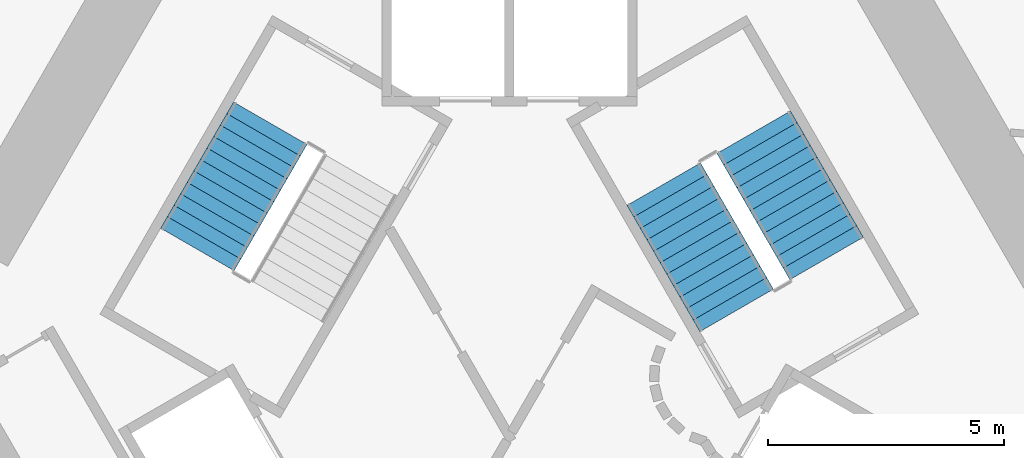
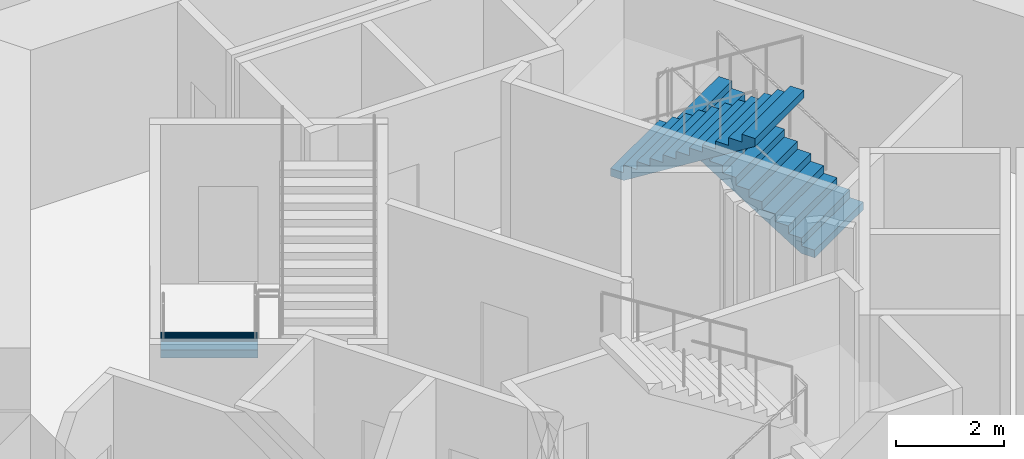
# One storey, part 10 of 13: 3 stair flights, 2 elements without a shape of their own.
"""IFC4 building model written with IfcOpenShell, lengths in metres."""

from ifc_helpers import new_model, si_unit, direction, frame, origin, place, context, subcontext, project, spatial, polyline, outline, extrude, material, type_object, element, aggregate, save


model = new_model("IFC4")

# Units and contexts
model_context = context("Model", 3, precision=1e-05, world=origin(), true_north=direction((0.0, 1.0)))
body_context = subcontext(model_context, "Body", "Model", "MODEL_VIEW")
ifc_project = project(units=[si_unit("LENGTHUNIT", "METRE"), si_unit("AREAUNIT", "SQUARE_METRE"), si_unit("VOLUMEUNIT", "CUBIC_METRE"), si_unit("PLANEANGLEUNIT", "RADIAN"), si_unit("MASSUNIT", "GRAM", prefix="KILO")], contexts=[model_context])

# Site, building, storey
site_placement = place(None, origin())
site = spatial("IfcSite", under=ifc_project, at=site_placement, CompositionType="ELEMENT")
building_placement = place(site_placement, origin())
building = spatial("IfcBuilding", under=site, at=building_placement, Name="Entoto Arch Interchange Tower", CompositionType="ELEMENT")
storey_placement = place(building_placement, frame((0.0, 0.0, 231.800048828125)))
storey = spatial("IfcBuildingStorey", under=building, at=storey_placement, Name="L52", CompositionType="ELEMENT", Elevation=231.800048828125)

# Stair, stair flights
ifc_material = material(Name="Concrete C40/50", Category="concrete")
stair_type = type_object("IfcStairType", Name="EXIT STAIR RC 1800", PredefinedType="HALF_TURN_STAIR", material=ifc_material)
stair_1_placement = place(storey_placement, origin())
stair_1 = element("IfcStair", 1, at=stair_1_placement, inside=storey, type_object=stair_type, Name="L52 Exit stair NE", PredefinedType="HALF_TURN_STAIR")
stair_flight_type = type_object("IfcStairFlightType", Name="EXIT STAIR FLIGHT RC 1800", PredefinedType="STRAIGHT", material=ifc_material)
stair_flight_1_placement = place(storey_placement, frame((6.7138671875, 4.470947265625, 0.0), z_axis=(0.0, 0.0, 1.0), x_axis=(-0.5, 0.866025403784, 0.0)))
stair_flight_1 = element("IfcStairFlight", 2, at=stair_flight_1_placement, type_object=stair_flight_type, Name="ST-NE flight 1", NumberOfRisers=12, NumberOfTreads=11, PredefinedType="STRAIGHT", RiserHeight=0.175, TreadLength=0.28, context=body_context, shape_type="SweptSolid", body=[
    extrude(outline(polyline([(-0.0029296875, 0.0), (-0.0029296875, 0.175048828125), (0.280029296875, 0.175048828125), (0.280029296875, 0.35009765625), (0.56005859375, 0.35009765625), (0.56005859375, 0.52490234375), (0.840087890625, 0.52490234375), (0.840087890625, 0.699951171875), (1.1201171875, 0.699951171875), (1.1201171875, 0.875), (1.39990234375, 0.875), (1.39990234375, 1.050048828125), (1.679931640625, 1.050048828125), (1.679931640625, 1.22509765625), (1.9599609375, 1.22509765625), (1.9599609375, 1.39990234375), (2.239990234375, 1.39990234375), (2.239990234375, 1.574951171875), (2.52001953125, 1.574951171875), (2.52001953125, 1.75), (2.800048828125, 1.75), (2.800048828125, 1.925048828125), (3.080078125, 1.925048828125), (3.0830078125, 1.925048828125), (3.0830078125, 1.75), (0.28271484375, 0.0), (-0.0029296875, 0.0)])), frame((0.0, 0.89990234375, 0.0), z_axis=(0.0, -1.0, 0.0), x_axis=(1.0, 0.0, 0.0)), (0.0, 0.0, 1.0), 1.800048828125),
])
stair_flight_2_placement = place(storey_placement, frame((3.268798828125, 6.038330078125, 2.099853515625), z_axis=(0.0, 0.0, 1.0), x_axis=(0.5, -0.866025403784, 0.0)))
stair_flight_2 = element("IfcStairFlight", 3, at=stair_flight_2_placement, type_object=stair_flight_type, Name="ST-NE flight 2", NumberOfRisers=12, NumberOfTreads=11, PredefinedType="STRAIGHT", RiserHeight=0.175, TreadLength=0.28, context=body_context, shape_type="SweptSolid", body=[
    extrude(outline(polyline([(-0.0029296875, 0.0), (-0.0029296875, 0.175048828125), (0.280029296875, 0.175048828125), (0.280029296875, 0.35009765625), (0.56005859375, 0.35009765625), (0.56005859375, 0.52490234375), (0.840087890625, 0.52490234375), (0.840087890625, 0.699951171875), (1.1201171875, 0.699951171875), (1.1201171875, 0.875), (1.39990234375, 0.875), (1.39990234375, 1.050048828125), (1.679931640625, 1.050048828125), (1.679931640625, 1.22509765625), (1.9599609375, 1.22509765625), (1.9599609375, 1.39990234375), (2.239990234375, 1.39990234375), (2.239990234375, 1.574951171875), (2.52001953125, 1.574951171875), (2.52001953125, 1.75), (2.800048828125, 1.75), (2.800048828125, 1.925048828125), (3.080078125, 1.925048828125), (3.0830078125, 1.925048828125), (3.0830078125, 1.75), (0.28271484375, 0.0), (-0.0029296875, 0.0)])), frame((0.0, 0.89990234375, 0.0), z_axis=(0.0, -1.0, 0.0), x_axis=(1.0, 0.0, 0.0)), (0.0, 0.0, 1.0), 1.800048828125),
])
aggregate(stair_1, [stair_flight_1, stair_flight_2])

# Stair, stair flight
stair_2_placement = place(storey_placement, origin())
stair_2 = element("IfcStair", 4, at=stair_2_placement, inside=storey, type_object=stair_type, Name="L52 Exit stair NW", PredefinedType="HALF_TURN_STAIR")
stair_flight_3_placement = place(storey_placement, frame((-5.06396484375, 7.328857421875, 0.0), z_axis=(0.0, 0.0, 1.0), x_axis=(-0.5, -0.866025403784, 0.0)))
stair_flight_3 = element("IfcStairFlight", 5, at=stair_flight_3_placement, type_object=stair_flight_type, Name="ST-NW flight 1", NumberOfRisers=12, NumberOfTreads=11, PredefinedType="STRAIGHT", RiserHeight=0.175, TreadLength=0.28, context=body_context, shape_type="SweptSolid", body=[
    extrude(outline(polyline([(-0.0029296875, 0.0), (-0.0029296875, 0.175048828125), (0.280029296875, 0.175048828125), (0.280029296875, 0.35009765625), (0.56005859375, 0.35009765625), (0.56005859375, 0.52490234375), (0.840087890625, 0.52490234375), (0.840087890625, 0.699951171875), (1.1201171875, 0.699951171875), (1.1201171875, 0.875), (1.39990234375, 0.875), (1.39990234375, 1.050048828125), (1.679931640625, 1.050048828125), (1.679931640625, 1.22509765625), (1.9599609375, 1.22509765625), (1.9599609375, 1.39990234375), (2.239990234375, 1.39990234375), (2.239990234375, 1.574951171875), (2.52001953125, 1.574951171875), (2.52001953125, 1.75), (2.800048828125, 1.75), (2.800048828125, 1.925048828125), (3.080078125, 1.925048828125), (3.0830078125, 1.925048828125), (3.0830078125, 1.75), (0.28271484375, 0.0), (-0.0029296875, 0.0)])), frame((0.0, 0.89990234375, 0.0), z_axis=(0.0, -1.0, 0.0), x_axis=(1.0, 0.0, 0.0)), (0.0, 0.0, 1.0), 1.800048828125),
])
aggregate(stair_2, [stair_flight_3])

save(model, "model.ifc")
